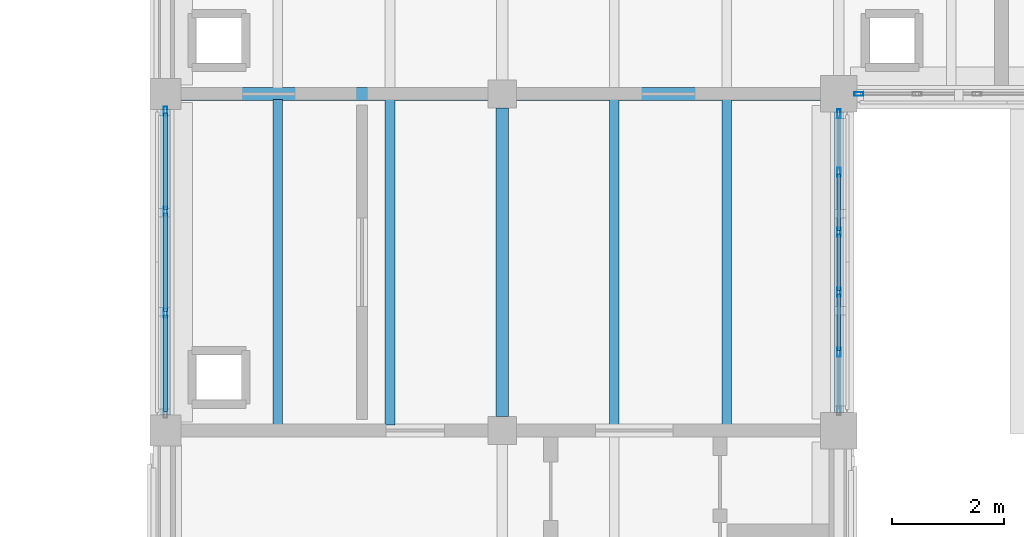
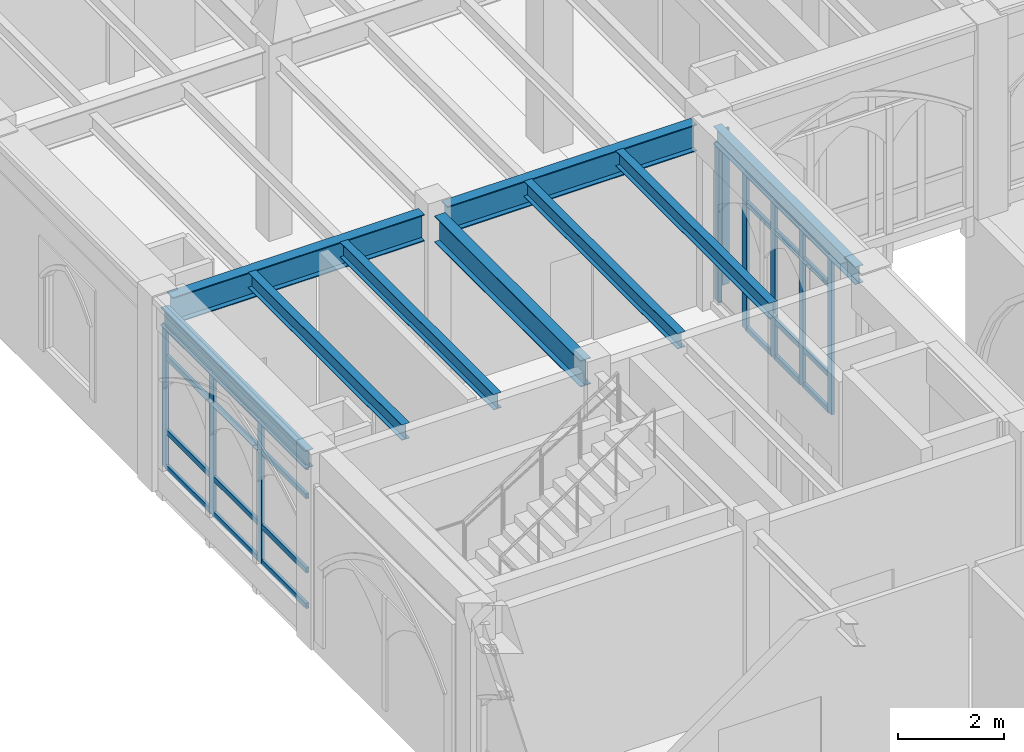
# One storey, part 46 of 143: 33 members, 9 beams, 3 elements without a shape of their own.
"""IFC4 building model written with IfcOpenShell, lengths in metres."""

from ifc_helpers import new_model, si_unit, direction, frame, origin, origin_2d, place, context, subcontext, project, spatial, hollow_rectangle, i_section, extrude, material, layer, layer_set, material_profile, profile_set, type_object, element, aggregate, save


model = new_model("IFC4")

# Units and contexts
model_context = context("Model", 3, precision=1e-05, world=origin(), true_north=direction((0.0, 1.0)))
body_context = subcontext(model_context, "Body", "Model", "MODEL_VIEW")
ifc_project = project(units=[si_unit("LENGTHUNIT", "METRE"), si_unit("AREAUNIT", "SQUARE_METRE"), si_unit("VOLUMEUNIT", "CUBIC_METRE"), si_unit("PLANEANGLEUNIT", "RADIAN"), si_unit("MASSUNIT", "GRAM", prefix="KILO")], contexts=[model_context])

# Site, building, storey
site_placement = place(None, origin())
site = spatial("IfcSite", under=ifc_project, at=site_placement, CompositionType="ELEMENT")
building_placement = place(site_placement, origin())
building = spatial("IfcBuilding", under=site, at=building_placement, Name="Cumevento Cable Car Station", CompositionType="ELEMENT")
storey_placement = place(building_placement, frame((0.0, 0.0, 9.0)))
storey = spatial("IfcBuildingStorey", under=building, at=storey_placement, Name="L03", CompositionType="ELEMENT", Elevation=9.0)

# Curtain wall, members
ifc_material_1 = material(Name="Anodised Bronze Aluminium AW-6063-T6", Category="aluminium")
ifc_layer_1 = layer(ifc_material_1, 0.25)
ifc_layer_set_1 = layer_set([ifc_layer_1], Name="Anodised Bronze Aluminium AW-6063-T6")
curtain_wall_type_1 = type_object("IfcCurtainWallType", Name="Lancet Curtain Wall CW-16 1650", PredefinedType="NOTDEFINED", material=ifc_layer_set_1)
curtain_wall_1_placement = place(storey_placement, origin())
curtain_wall_1 = element("IfcCurtainWall", 1, at=curtain_wall_1_placement, inside=storey, type_object=curtain_wall_type_1, Name="Lancet Curtain Wall CW-16 L03 #127", PredefinedType="NOTDEFINED")
ifc_material_2 = material(Name="Anodised Bronze Aluminium AW-6063-T6", Category="aluminium")
ifc_material_profile_1 = material_profile(ifc_material_2, hollow_rectangle(XDim=0.06494140625, YDim=0.159912109375, WallThickness=0.00390625, at=origin_2d()), Name="ALUM65x160x4")
ifc_profile_set_1 = profile_set([ifc_material_profile_1], Name="Anodised Bronze Aluminium AW-6063-T6")
member_type_1 = type_object("IfcMemberType", Name="Curtain Mullion CWM-01 ALUM65x160x4", PredefinedType="MULLION", material=ifc_profile_set_1)
member_1_placement = place(storey_placement, frame((118.0, 29.091552734375, 0.52001953125), z_axis=(0.0, 0.0, 1.0), x_axis=(-1.0, 0.0, 0.0)))
member_1 = element("IfcMember", 2, at=member_1_placement, type_object=member_type_1, Name="CW-16 mullion 2", PredefinedType="MULLION", context=body_context, shape_type="SweptSolid", body=[
    extrude(hollow_rectangle(XDim=0.06494140625, YDim=0.159912109375, WallThickness=0.00390625, at=origin_2d()), origin(), (0.0, 0.0, 1.0), 3.258056640625),
])
member_2_placement = place(storey_placement, frame((118.0, 30.908447265625, 0.52001953125), z_axis=(0.0, 0.0, 1.0), x_axis=(-1.0, 0.0, 0.0)))
member_2 = element("IfcMember", 3, at=member_2_placement, type_object=member_type_1, Name="CW-16 mullion 3", PredefinedType="MULLION", context=body_context, shape_type="SweptSolid", body=[
    extrude(hollow_rectangle(XDim=0.06494140625, YDim=0.159912109375, WallThickness=0.00390625, at=origin_2d()), origin(), (0.0, 0.0, 1.0), 3.258056640625),
])
member_3_placement = place(storey_placement, frame((118.0, 32.6923828125, 0.52001953125), z_axis=(0.0, 0.0, 1.0), x_axis=(-1.0, 0.0, 0.0)))
member_3 = element("IfcMember", 4, at=member_3_placement, type_object=member_type_1, Name="CW-16 mullion 4", PredefinedType="MULLION", context=body_context, shape_type="SweptSolid", body=[
    extrude(hollow_rectangle(XDim=0.06494140625, YDim=0.159912109375, WallThickness=0.00390625, at=origin_2d()), origin(), (0.0, 0.0, 1.0), 3.258056640625),
])

ifc_material_3 = material(Name="Anodised Bronze Aluminium AW-6063-T6", Category="aluminium")
ifc_layer_2 = layer(ifc_material_3, 0.159912109375)
ifc_layer_set_2 = layer_set([ifc_layer_2], Name="Anodised Bronze Aluminium AW-6063-T6")
curtain_wall_type_2 = type_object("IfcCurtainWallType", Name="Lancet Curtain Wall CW-01 1050", PredefinedType="NOTDEFINED", material=ifc_layer_set_2)
curtain_wall_2_placement = place(storey_placement, origin())
curtain_wall_2 = element("IfcCurtainWall", 5, at=curtain_wall_2_placement, inside=storey, type_object=curtain_wall_type_2, Name="Lancet Curtain Wall CW-01 L03 #128", PredefinedType="NOTDEFINED")
member_4_placement = place(storey_placement, frame((130.0, 32.642578125, 0.159912109375), z_axis=(0.0, 0.0, 1.0), x_axis=(1.0, 0.0, 0.0)))
member_4 = element("IfcMember", 6, at=member_4_placement, type_object=member_type_1, Name="CW-01 mullion 1", PredefinedType="MULLION", context=body_context, shape_type="SweptSolid", body=[
    extrude(hollow_rectangle(XDim=0.06494140625, YDim=0.159912109375, WallThickness=0.00390625, at=origin_2d()), origin(), (0.0, 0.0, 1.0), 3.6181640625),
])
member_5_placement = place(storey_placement, frame((130.0, 31.60498046875, 0.159912109375), z_axis=(0.0, 0.0, 1.0), x_axis=(1.0, 0.0, 0.0)))
member_5 = element("IfcMember", 7, at=member_5_placement, type_object=member_type_1, Name="CW-01 mullion 2", PredefinedType="MULLION", context=body_context, shape_type="SweptSolid", body=[
    extrude(hollow_rectangle(XDim=0.06494140625, YDim=0.159912109375, WallThickness=0.00390625, at=origin_2d()), origin(), (0.0, 0.0, 1.0), 3.6181640625),
])
member_6_placement = place(storey_placement, frame((130.0, 30.534912109375, 0.159912109375), z_axis=(0.0, 0.0, 1.0), x_axis=(1.0, 0.0, 0.0)))
member_6 = element("IfcMember", 8, at=member_6_placement, type_object=member_type_1, Name="CW-01 mullion 3", PredefinedType="MULLION", context=body_context, shape_type="SweptSolid", body=[
    extrude(hollow_rectangle(XDim=0.06494140625, YDim=0.159912109375, WallThickness=0.00390625, at=origin_2d()), origin(), (0.0, 0.0, 1.0), 3.6181640625),
])
member_7_placement = place(storey_placement, frame((130.0, 29.465087890625, 0.159912109375), z_axis=(0.0, 0.0, 1.0), x_axis=(1.0, 0.0, 0.0)))
member_7 = element("IfcMember", 9, at=member_7_placement, type_object=member_type_1, Name="CW-01 mullion 4", PredefinedType="MULLION", context=body_context, shape_type="SweptSolid", body=[
    extrude(hollow_rectangle(XDim=0.06494140625, YDim=0.159912109375, WallThickness=0.00390625, at=origin_2d()), origin(), (0.0, 0.0, 1.0), 3.6181640625),
])
member_8_placement = place(storey_placement, frame((130.0, 28.39501953125, 0.159912109375), z_axis=(0.0, 0.0, 1.0), x_axis=(1.0, 0.0, 0.0)))
member_8 = element("IfcMember", 10, at=member_8_placement, type_object=member_type_1, Name="CW-01 mullion 5", PredefinedType="MULLION", context=body_context, shape_type="SweptSolid", body=[
    extrude(hollow_rectangle(XDim=0.06494140625, YDim=0.159912109375, WallThickness=0.00390625, at=origin_2d()), origin(), (0.0, 0.0, 1.0), 3.6181640625),
])

# Curtain wall, member
ifc_material_4 = material(Name="Anodised Bronze Aluminium AW-6063-T6", Category="aluminium")
ifc_layer_3 = layer(ifc_material_4, 0.166015625)
ifc_layer_set_3 = layer_set([ifc_layer_3], Name="Anodised Bronze Aluminium AW-6063-T6")
curtain_wall_type_3 = type_object("IfcCurtainWallType", Name="Lancet Curtain Wall CW-02 1090", PredefinedType="NOTDEFINED", material=ifc_layer_set_3)
curtain_wall_3_placement = place(storey_placement, origin())
curtain_wall_3 = element("IfcCurtainWall", 11, at=curtain_wall_3_placement, inside=storey, type_object=curtain_wall_type_3, Name="Lancet Curtain Wall CW-02 L03 #129", PredefinedType="NOTDEFINED")
member_9_placement = place(storey_placement, frame((130.357421875, 33.0, 0.2099609375), z_axis=(0.0, 0.0, 1.0), x_axis=(0.0, -1.0, 0.0)))
member_9 = element("IfcMember", 12, at=member_9_placement, type_object=member_type_1, Name="CW-02 mullion 6", PredefinedType="MULLION", context=body_context, shape_type="SweptSolid", body=[
    extrude(hollow_rectangle(XDim=0.06494140625, YDim=0.159912109375, WallThickness=0.00390625, at=origin_2d()), origin(), (0.0, 0.0, 1.0), 3.568115234375),
])
aggregate(curtain_wall_3, [member_9])

# Member
ifc_material_5 = material(Name="Anodised Bronze Aluminium AW-6063-T6", Category="aluminium")
ifc_material_profile_2 = material_profile(ifc_material_5, hollow_rectangle(XDim=0.06494140625, YDim=0.1201171875, WallThickness=0.00390625, at=origin_2d()), Name="ALUT65x120x4")
ifc_profile_set_2 = profile_set([ifc_material_profile_2], Name="Anodised Bronze Aluminium AW-6063-T6")
member_type_2 = type_object("IfcMemberType", Name="Curtain Transom CWT-01 ALUT65x120x4", PredefinedType="USERDEFINED", material=ifc_profile_set_2)
member_10_placement = place(storey_placement, frame((118.0, 27.340087890625, 0.552490234375), z_axis=(0.0, 1.0, 0.0), x_axis=(-1.0, 0.0, 0.0)))
member_10 = element("IfcMember", 13, at=member_10_placement, type_object=member_type_2, Name="CW-16 transom 1.1", ObjectType="TRANSOM", PredefinedType="USERDEFINED", context=body_context, shape_type="SweptSolid", body=[
    extrude(hollow_rectangle(XDim=0.06494140625, YDim=0.1201171875, WallThickness=0.00390625, at=origin_2d()), origin(), (0.0, 0.0, 1.0), 1.718994140625),
])

member_11_placement = place(storey_placement, frame((118.0, 27.340087890625, 1.3701171875), z_axis=(0.0, 1.0, 0.0), x_axis=(-1.0, 0.0, 0.0)))
member_11 = element("IfcMember", 14, at=member_11_placement, type_object=member_type_2, Name="CW-16 transom 1.2", ObjectType="TRANSOM", PredefinedType="USERDEFINED", context=body_context, shape_type="SweptSolid", body=[
    extrude(hollow_rectangle(XDim=0.06494140625, YDim=0.1201171875, WallThickness=0.00390625, at=origin_2d()), origin(), (0.0, 0.0, 1.0), 1.718994140625),
])

member_12_placement = place(storey_placement, frame((118.0, 27.340087890625, 3.077880859375), z_axis=(0.0, 1.0, 0.0), x_axis=(-1.0, 0.0, 0.0)))
member_12 = element("IfcMember", 15, at=member_12_placement, type_object=member_type_2, Name="CW-16 transom 1.3", ObjectType="TRANSOM", PredefinedType="USERDEFINED", context=body_context, shape_type="SweptSolid", body=[
    extrude(hollow_rectangle(XDim=0.06494140625, YDim=0.1201171875, WallThickness=0.00390625, at=origin_2d()), origin(), (0.0, 0.0, 1.0), 1.718994140625),
])

member_13_placement = place(storey_placement, frame((118.0, 27.340087890625, 3.74560546875), z_axis=(0.0, 1.0, 0.0), x_axis=(-1.0, 0.0, 0.0)))
member_13 = element("IfcMember", 16, at=member_13_placement, type_object=member_type_2, Name="CW-16 transom 1.4", ObjectType="TRANSOM", PredefinedType="USERDEFINED", context=body_context, shape_type="SweptSolid", body=[
    extrude(hollow_rectangle(XDim=0.06494140625, YDim=0.1201171875, WallThickness=0.00390625, at=origin_2d()), origin(), (0.0, 0.0, 1.0), 1.718994140625),
])

member_14_placement = place(storey_placement, frame((118.0, 29.124267578125, 0.552490234375), z_axis=(0.0, 1.0, 0.0), x_axis=(-1.0, 0.0, 0.0)))
member_14 = element("IfcMember", 17, at=member_14_placement, type_object=member_type_2, Name="CW-16 transom 2.1", ObjectType="TRANSOM", PredefinedType="USERDEFINED", context=body_context, shape_type="SweptSolid", body=[
    extrude(hollow_rectangle(XDim=0.06494140625, YDim=0.1201171875, WallThickness=0.00390625, at=origin_2d()), origin(), (0.0, 0.0, 1.0), 1.75146484375),
])

member_15_placement = place(storey_placement, frame((118.0, 29.124267578125, 1.3701171875), z_axis=(0.0, 1.0, 0.0), x_axis=(-1.0, 0.0, 0.0)))
member_15 = element("IfcMember", 18, at=member_15_placement, type_object=member_type_2, Name="CW-16 transom 2.2", ObjectType="TRANSOM", PredefinedType="USERDEFINED", context=body_context, shape_type="SweptSolid", body=[
    extrude(hollow_rectangle(XDim=0.06494140625, YDim=0.1201171875, WallThickness=0.00390625, at=origin_2d()), origin(), (0.0, 0.0, 1.0), 1.75146484375),
])

member_16_placement = place(storey_placement, frame((118.0, 29.124267578125, 3.077880859375), z_axis=(0.0, 1.0, 0.0), x_axis=(-1.0, 0.0, 0.0)))
member_16 = element("IfcMember", 19, at=member_16_placement, type_object=member_type_2, Name="CW-16 transom 2.3", ObjectType="TRANSOM", PredefinedType="USERDEFINED", context=body_context, shape_type="SweptSolid", body=[
    extrude(hollow_rectangle(XDim=0.06494140625, YDim=0.1201171875, WallThickness=0.00390625, at=origin_2d()), origin(), (0.0, 0.0, 1.0), 1.75146484375),
])

member_17_placement = place(storey_placement, frame((118.0, 29.124267578125, 3.74560546875), z_axis=(0.0, 1.0, 0.0), x_axis=(-1.0, 0.0, 0.0)))
member_17 = element("IfcMember", 20, at=member_17_placement, type_object=member_type_2, Name="CW-16 transom 2.4", ObjectType="TRANSOM", PredefinedType="USERDEFINED", context=body_context, shape_type="SweptSolid", body=[
    extrude(hollow_rectangle(XDim=0.06494140625, YDim=0.1201171875, WallThickness=0.00390625, at=origin_2d()), origin(), (0.0, 0.0, 1.0), 1.75146484375),
])

member_18_placement = place(storey_placement, frame((118.0, 30.94091796875, 0.552490234375), z_axis=(0.0, 1.0, 0.0), x_axis=(-1.0, 0.0, 0.0)))
member_18 = element("IfcMember", 21, at=member_18_placement, type_object=member_type_2, Name="CW-16 transom 3.1", ObjectType="TRANSOM", PredefinedType="USERDEFINED", context=body_context, shape_type="SweptSolid", body=[
    extrude(hollow_rectangle(XDim=0.06494140625, YDim=0.1201171875, WallThickness=0.00390625, at=origin_2d()), origin(), (0.0, 0.0, 1.0), 1.718994140625),
])

member_19_placement = place(storey_placement, frame((118.0, 30.94091796875, 1.3701171875), z_axis=(0.0, 1.0, 0.0), x_axis=(-1.0, 0.0, 0.0)))
member_19 = element("IfcMember", 22, at=member_19_placement, type_object=member_type_2, Name="CW-16 transom 3.2", ObjectType="TRANSOM", PredefinedType="USERDEFINED", context=body_context, shape_type="SweptSolid", body=[
    extrude(hollow_rectangle(XDim=0.06494140625, YDim=0.1201171875, WallThickness=0.00390625, at=origin_2d()), origin(), (0.0, 0.0, 1.0), 1.718994140625),
])

member_20_placement = place(storey_placement, frame((118.0, 30.94091796875, 3.077880859375), z_axis=(0.0, 1.0, 0.0), x_axis=(-1.0, 0.0, 0.0)))
member_20 = element("IfcMember", 23, at=member_20_placement, type_object=member_type_2, Name="CW-16 transom 3.3", ObjectType="TRANSOM", PredefinedType="USERDEFINED", context=body_context, shape_type="SweptSolid", body=[
    extrude(hollow_rectangle(XDim=0.06494140625, YDim=0.1201171875, WallThickness=0.00390625, at=origin_2d()), origin(), (0.0, 0.0, 1.0), 1.718994140625),
])

member_21_placement = place(storey_placement, frame((118.0, 30.94091796875, 3.74560546875), z_axis=(0.0, 1.0, 0.0), x_axis=(-1.0, 0.0, 0.0)))
member_21 = element("IfcMember", 24, at=member_21_placement, type_object=member_type_2, Name="CW-16 transom 3.4", ObjectType="TRANSOM", PredefinedType="USERDEFINED", context=body_context, shape_type="SweptSolid", body=[
    extrude(hollow_rectangle(XDim=0.06494140625, YDim=0.1201171875, WallThickness=0.00390625, at=origin_2d()), origin(), (0.0, 0.0, 1.0), 1.718994140625),
])

aggregate(curtain_wall_1, [member_1, member_2, member_3, member_10, member_11, member_12, member_13, member_14, member_15, member_16, member_17, member_18, member_19, member_20, member_21])

member_22_placement = place(storey_placement, frame((130.0, 31.572509765625, 0.1923828125), z_axis=(0.0, -1.0, 0.0), x_axis=(1.0, 0.0, 0.0)))
member_22 = element("IfcMember", 25, at=member_22_placement, type_object=member_type_2, Name="CW-01 transom 2.1", ObjectType="TRANSOM", PredefinedType="USERDEFINED", context=body_context, shape_type="SweptSolid", body=[
    extrude(hollow_rectangle(XDim=0.06494140625, YDim=0.1201171875, WallThickness=0.00390625, at=origin_2d()), origin(), (0.0, 0.0, 1.0), 1.005126953125),
])

member_23_placement = place(storey_placement, frame((130.0, 31.572509765625, 1.010009765625), z_axis=(0.0, -1.0, 0.0), x_axis=(1.0, 0.0, 0.0)))
member_23 = element("IfcMember", 26, at=member_23_placement, type_object=member_type_2, Name="CW-01 transom 2.2", ObjectType="TRANSOM", PredefinedType="USERDEFINED", context=body_context, shape_type="SweptSolid", body=[
    extrude(hollow_rectangle(XDim=0.06494140625, YDim=0.1201171875, WallThickness=0.00390625, at=origin_2d()), origin(), (0.0, 0.0, 1.0), 1.005126953125),
])

member_24_placement = place(storey_placement, frame((130.0, 31.572509765625, 3.077880859375), z_axis=(0.0, -1.0, 0.0), x_axis=(1.0, 0.0, 0.0)))
member_24 = element("IfcMember", 27, at=member_24_placement, type_object=member_type_2, Name="CW-01 transom 2.3", ObjectType="TRANSOM", PredefinedType="USERDEFINED", context=body_context, shape_type="SweptSolid", body=[
    extrude(hollow_rectangle(XDim=0.06494140625, YDim=0.1201171875, WallThickness=0.00390625, at=origin_2d()), origin(), (0.0, 0.0, 1.0), 1.005126953125),
])

member_25_placement = place(storey_placement, frame((130.0, 31.572509765625, 3.74560546875), z_axis=(0.0, -1.0, 0.0), x_axis=(1.0, 0.0, 0.0)))
member_25 = element("IfcMember", 28, at=member_25_placement, type_object=member_type_2, Name="CW-01 transom 2.4", ObjectType="TRANSOM", PredefinedType="USERDEFINED", context=body_context, shape_type="SweptSolid", body=[
    extrude(hollow_rectangle(XDim=0.06494140625, YDim=0.1201171875, WallThickness=0.00390625, at=origin_2d()), origin(), (0.0, 0.0, 1.0), 1.005126953125),
])

member_26_placement = place(storey_placement, frame((130.0, 30.50244140625, 0.1923828125), z_axis=(0.0, -1.0, 0.0), x_axis=(1.0, 0.0, 0.0)))
member_26 = element("IfcMember", 29, at=member_26_placement, type_object=member_type_2, Name="CW-01 transom 3.1", ObjectType="TRANSOM", PredefinedType="USERDEFINED", context=body_context, shape_type="SweptSolid", body=[
    extrude(hollow_rectangle(XDim=0.06494140625, YDim=0.1201171875, WallThickness=0.00390625, at=origin_2d()), origin(), (0.0, 0.0, 1.0), 1.0048828125),
])

member_27_placement = place(storey_placement, frame((130.0, 30.50244140625, 1.010009765625), z_axis=(0.0, -1.0, 0.0), x_axis=(1.0, 0.0, 0.0)))
member_27 = element("IfcMember", 30, at=member_27_placement, type_object=member_type_2, Name="CW-01 transom 3.2", ObjectType="TRANSOM", PredefinedType="USERDEFINED", context=body_context, shape_type="SweptSolid", body=[
    extrude(hollow_rectangle(XDim=0.06494140625, YDim=0.1201171875, WallThickness=0.00390625, at=origin_2d()), origin(), (0.0, 0.0, 1.0), 1.0048828125),
])

member_28_placement = place(storey_placement, frame((130.0, 30.50244140625, 3.077880859375), z_axis=(0.0, -1.0, 0.0), x_axis=(1.0, 0.0, 0.0)))
member_28 = element("IfcMember", 31, at=member_28_placement, type_object=member_type_2, Name="CW-01 transom 3.3", ObjectType="TRANSOM", PredefinedType="USERDEFINED", context=body_context, shape_type="SweptSolid", body=[
    extrude(hollow_rectangle(XDim=0.06494140625, YDim=0.1201171875, WallThickness=0.00390625, at=origin_2d()), origin(), (0.0, 0.0, 1.0), 1.0048828125),
])

member_29_placement = place(storey_placement, frame((130.0, 30.50244140625, 3.74560546875), z_axis=(0.0, -1.0, 0.0), x_axis=(1.0, 0.0, 0.0)))
member_29 = element("IfcMember", 32, at=member_29_placement, type_object=member_type_2, Name="CW-01 transom 3.4", ObjectType="TRANSOM", PredefinedType="USERDEFINED", context=body_context, shape_type="SweptSolid", body=[
    extrude(hollow_rectangle(XDim=0.06494140625, YDim=0.1201171875, WallThickness=0.00390625, at=origin_2d()), origin(), (0.0, 0.0, 1.0), 1.0048828125),
])

member_30_placement = place(storey_placement, frame((130.0, 29.4326171875, 0.1923828125), z_axis=(0.0, -1.0, 0.0), x_axis=(1.0, 0.0, 0.0)))
member_30 = element("IfcMember", 33, at=member_30_placement, type_object=member_type_2, Name="CW-01 transom 4.1", ObjectType="TRANSOM", PredefinedType="USERDEFINED", context=body_context, shape_type="SweptSolid", body=[
    extrude(hollow_rectangle(XDim=0.06494140625, YDim=0.1201171875, WallThickness=0.00390625, at=origin_2d()), origin(), (0.0, 0.0, 1.0), 1.005126953125),
])

member_31_placement = place(storey_placement, frame((130.0, 29.4326171875, 1.010009765625), z_axis=(0.0, -1.0, 0.0), x_axis=(1.0, 0.0, 0.0)))
member_31 = element("IfcMember", 34, at=member_31_placement, type_object=member_type_2, Name="CW-01 transom 4.2", ObjectType="TRANSOM", PredefinedType="USERDEFINED", context=body_context, shape_type="SweptSolid", body=[
    extrude(hollow_rectangle(XDim=0.06494140625, YDim=0.1201171875, WallThickness=0.00390625, at=origin_2d()), origin(), (0.0, 0.0, 1.0), 1.005126953125),
])

member_32_placement = place(storey_placement, frame((130.0, 29.4326171875, 3.077880859375), z_axis=(0.0, -1.0, 0.0), x_axis=(1.0, 0.0, 0.0)))
member_32 = element("IfcMember", 35, at=member_32_placement, type_object=member_type_2, Name="CW-01 transom 4.3", ObjectType="TRANSOM", PredefinedType="USERDEFINED", context=body_context, shape_type="SweptSolid", body=[
    extrude(hollow_rectangle(XDim=0.06494140625, YDim=0.1201171875, WallThickness=0.00390625, at=origin_2d()), origin(), (0.0, 0.0, 1.0), 1.005126953125),
])

member_33_placement = place(storey_placement, frame((130.0, 29.4326171875, 3.74560546875), z_axis=(0.0, -1.0, 0.0), x_axis=(1.0, 0.0, 0.0)))
member_33 = element("IfcMember", 36, at=member_33_placement, type_object=member_type_2, Name="CW-01 transom 4.4", ObjectType="TRANSOM", PredefinedType="USERDEFINED", context=body_context, shape_type="SweptSolid", body=[
    extrude(hollow_rectangle(XDim=0.06494140625, YDim=0.1201171875, WallThickness=0.00390625, at=origin_2d()), origin(), (0.0, 0.0, 1.0), 1.005126953125),
])

aggregate(curtain_wall_2, [member_4, member_5, member_6, member_7, member_8, member_22, member_23, member_24, member_25, member_26, member_27, member_28, member_29, member_30, member_31, member_32, member_33])

# Beams
ifc_material_6 = material(Name="Steel ASTM A572 Grade 50", Category="steel")
ifc_material_profile_3 = material_profile(ifc_material_6, i_section(OverallWidth=0.22998046875, OverallDepth=0.616943359375, WebThickness=0.01318359375, FlangeThickness=0.022216796875, at=origin_2d()), Name="W610x140.0")
ifc_profile_set_3 = profile_set([ifc_material_profile_3], Name="Steel ASTM A572 Grade 50")
beam_type_1 = type_object("IfcBeamType", Name="Structural Beam BM-01 W610x140.0", PredefinedType="BEAM", material=ifc_profile_set_3)
beam_1_placement = place(storey_placement, frame((118.27490234375, 33.0, 3.87646484375), z_axis=(1.0, 0.0, 0.0), x_axis=(0.0, 1.0, 0.0)))
element("IfcBeam", 37, at=beam_1_placement, inside=storey, type_object=beam_type_1, Name="Beam BM-01 L03 #1144", PredefinedType="BEAM", context=body_context, shape_type="SweptSolid", body=[
    extrude(i_section(OverallWidth=0.22998046875, OverallDepth=0.616943359375, WebThickness=0.01318359375, FlangeThickness=0.022216796875, at=origin_2d()), origin(), (0.0, 0.0, 1.0), 5.47509765625),
])
beam_2_placement = place(storey_placement, frame((124.25, 33.0, 3.87646484375), z_axis=(1.0, 0.0, 0.0), x_axis=(0.0, 1.0, 0.0)))
element("IfcBeam", 38, at=beam_2_placement, inside=storey, type_object=beam_type_1, Name="Beam BM-01 L03 #1145", PredefinedType="BEAM", context=body_context, shape_type="SweptSolid", body=[
    extrude(i_section(OverallWidth=0.22998046875, OverallDepth=0.616943359375, WebThickness=0.01318359375, FlangeThickness=0.022216796875, at=origin_2d()), origin(), (0.0, 0.0, 1.0), 5.425048828125),
])
ifc_material_7 = material(Name="Steel ASTM A572 Grade 50", Category="steel")
ifc_material_profile_4 = material_profile(ifc_material_7, i_section(OverallWidth=0.22802734375, OverallDepth=0.60791015625, WebThickness=0.01123046875, FlangeThickness=0.017333984375, at=origin_2d()), Name="W610x113.0")
ifc_profile_set_4 = profile_set([ifc_material_profile_4], Name="Steel ASTM A572 Grade 50")
beam_type_2 = type_object("IfcBeamType", Name="Structural Beam BM-02 W610x113.0", PredefinedType="BEAM", material=ifc_profile_set_4)
beam_3_placement = place(storey_placement, frame((124.0, 27.25, 3.881103515625), z_axis=(0.0, 1.0, 0.0), x_axis=(-1.0, 0.0, 0.0)))
element("IfcBeam", 39, at=beam_3_placement, inside=storey, type_object=beam_type_2, Name="Beam BM-02 L03 #1147", PredefinedType="BEAM", context=body_context, shape_type="SweptSolid", body=[
    extrude(i_section(OverallWidth=0.22802734375, OverallDepth=0.60791015625, WebThickness=0.01123046875, FlangeThickness=0.017333984375, at=origin_2d()), origin(), (0.0, 0.0, 1.0), 5.5),
])
ifc_material_8 = material(Name="Steel ASTM A572 Grade 50", Category="steel")
ifc_material_profile_5 = material_profile(ifc_material_8, i_section(OverallWidth=0.1708984375, OverallDepth=0.35498046875, WebThickness=0.007080078125, FlangeThickness=0.01171875, at=origin_2d()), Name="W360x51.0")
ifc_profile_set_5 = profile_set([ifc_material_profile_5], Name="Steel ASTM A572 Grade 50")
beam_type_3 = type_object("IfcBeamType", Name="Structural Joist JS-01 W360x51.0", PredefinedType="JOIST", material=ifc_profile_set_5)
for number, where, z_axis, x_axis, name in (
    (40, (120.0, 27.10302734375, 4.007568359375), (0.0, 1.0, 0.0), (-1.0, 0.0, 0.0), "Composite Floor Joist JS-01 L03 #1297"),
    (41, (122.0, 27.10302734375, 4.007568359375), (0.0, 1.0, 0.0), (-1.0, 0.0, 0.0), "Composite Floor Joist JS-01 L03 #1298"),
    (42, (126.0, 27.10302734375, 4.007568359375), (0.0, 1.0, 0.0), (-1.0, 0.0, 0.0), "Composite Floor Joist JS-01 L03 #1299"),
    (43, (128.0, 27.10302734375, 4.007568359375), (0.0, 1.0, 0.0), (-1.0, 0.0, 0.0), "Composite Floor Joist JS-01 L03 #1300"),
):
    element("IfcBeam", number, at=place(storey_placement, frame(where, z_axis=z_axis, x_axis=x_axis)), inside=storey, type_object=beam_type_3, Name=name, PredefinedType="JOIST", context=body_context, shape_type="SweptSolid", body=[
        extrude(i_section(OverallWidth=0.1708984375, OverallDepth=0.35498046875, WebThickness=0.007080078125, FlangeThickness=0.01171875, at=origin_2d()), origin(), (0.0, 0.0, 1.0), 5.7939453125),
    ])
ifc_material_9 = material(Name="Steel ASTM A572 Grade 50", Category="steel")
ifc_material_profile_6 = material_profile(ifc_material_9, i_section(OverallWidth=0.177978515625, OverallDepth=0.406982421875, WebThickness=0.0078125, FlangeThickness=0.0126953125, at=origin_2d()), Name="W410x60.0")
ifc_profile_set_6 = profile_set([ifc_material_profile_6], Name="Steel ASTM A572 Grade 50")
beam_type_4 = type_object("IfcBeamType", Name="Structural Spandrel SP-01 W410x60.0", PredefinedType="SPANDREL", material=ifc_profile_set_6)
beam_4_placement = place(storey_placement, frame((118.0, 27.27490234375, 3.9814453125), z_axis=(0.0, 1.0, 0.0), x_axis=(-1.0, 0.0, 0.0)))
element("IfcBeam", 44, at=beam_4_placement, inside=storey, type_object=beam_type_4, Name="Beam SP-01 L03 #1146", PredefinedType="SPANDREL", context=body_context, shape_type="SweptSolid", body=[
    extrude(i_section(OverallWidth=0.177978515625, OverallDepth=0.406982421875, WebThickness=0.0078125, FlangeThickness=0.0126953125, at=origin_2d()), origin(), (0.0, 0.0, 1.0), 5.4501953125),
])
beam_5_placement = place(storey_placement, frame((130.0, 27.324951171875, 3.9814453125), z_axis=(0.0, 1.0, 0.0), x_axis=(-1.0, 0.0, 0.0)))
element("IfcBeam", 45, at=beam_5_placement, inside=storey, type_object=beam_type_4, Name="Beam SP-01 L03 #1148", PredefinedType="SPANDREL", context=body_context, shape_type="SweptSolid", body=[
    extrude(i_section(OverallWidth=0.177978515625, OverallDepth=0.406982421875, WebThickness=0.0078125, FlangeThickness=0.0126953125, at=origin_2d()), origin(), (0.0, 0.0, 1.0), 5.35009765625),
])

save(model, "model.ifc")
